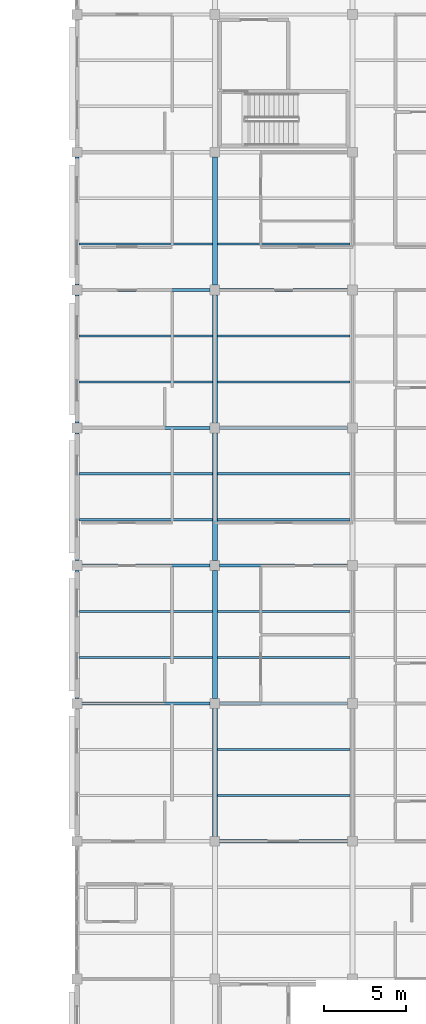
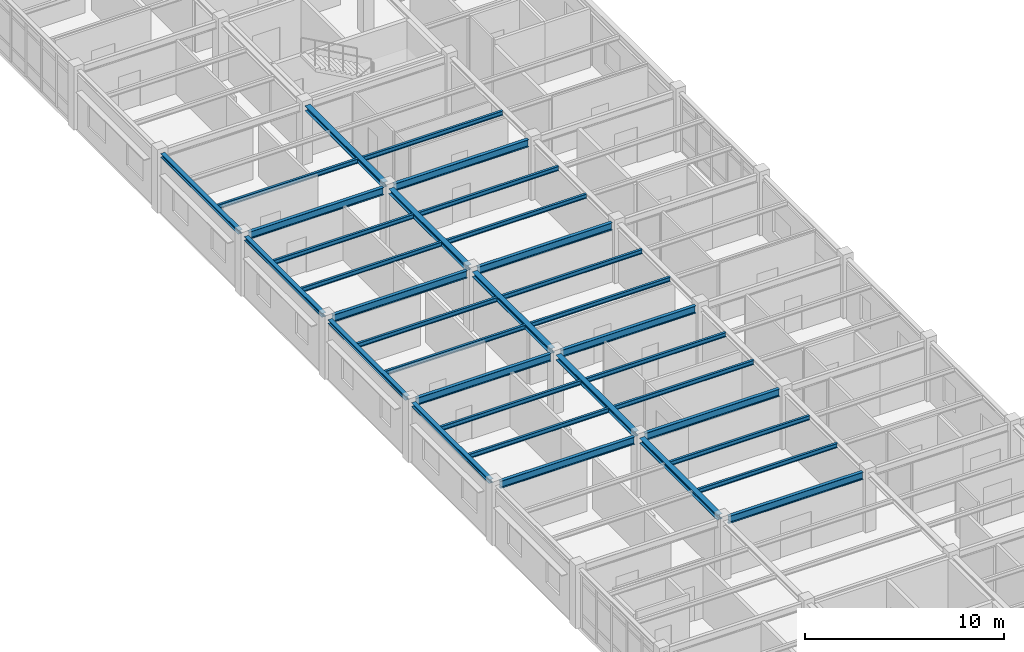
# One storey, part 5 of 70: 34 beams.
"""IFC4 building model written with IfcOpenShell, lengths in metres."""

from ifc_helpers import new_model, si_unit, direction, frame, origin, origin_2d, place, context, subcontext, project, spatial, i_section, extrude, material, material_profile, profile_set, type_object, element, save


model = new_model("IFC4")

# Units and contexts
model_context = context("Model", 3, precision=1e-05, world=origin(), true_north=direction((0.0, 1.0)))
body_context = subcontext(model_context, "Body", "Model", "MODEL_VIEW")
ifc_project = project(units=[si_unit("LENGTHUNIT", "METRE"), si_unit("AREAUNIT", "SQUARE_METRE"), si_unit("VOLUMEUNIT", "CUBIC_METRE"), si_unit("PLANEANGLEUNIT", "RADIAN"), si_unit("MASSUNIT", "GRAM", prefix="KILO")], contexts=[model_context])

# Site, building, storey
site_placement = place(None, origin())
site = spatial("IfcSite", under=ifc_project, at=site_placement, CompositionType="ELEMENT")
building_placement = place(site_placement, origin())
building = spatial("IfcBuilding", under=site, at=building_placement, Name="Bramfleet General Hospital", CompositionType="ELEMENT")
storey_placement = place(building_placement, frame((0.0, 0.0, 22.5)))
storey = spatial("IfcBuildingStorey", under=building, at=storey_placement, Name="L05", CompositionType="ELEMENT", Elevation=22.5)

# Beams
ifc_material = material(Name="Steel S355", Category="steel")
ifc_material_profile_1 = material_profile(ifc_material, i_section(OverallWidth=0.239990234375, OverallDepth=0.22998046875, WebThickness=0.007568359375, FlangeThickness=0.011962890625, FilletRadius=0.02099609375, at=origin_2d()), Name="HEA 240")
ifc_profile_set_1 = profile_set([ifc_material_profile_1], Name="Steel S355")
beam_type_1 = type_object("IfcBeamType", Name="BM-HEA240", PredefinedType="SPANDREL", material=ifc_profile_set_1)
for number, where, z_axis, x_axis, name in (
    (1, (92.39990234375, 33.89990234375, 3.5048828125), (0.0, 1.0, 0.0), (-1.0, 0.0, 0.0), "L05 Grid Beam Y 11-04"),
    (2, (92.39990234375, 42.300048828125, 3.5048828125), (0.0, 1.0, 0.0), (-1.0, 0.0, 0.0), "L05 Grid Beam Y 11-05"),
    (3, (92.39990234375, 50.699951171875, 3.5048828125), (0.0, 1.0, 0.0), (-1.0, 0.0, 0.0), "L05 Grid Beam Y 11-06"),
):
    element("IfcBeam", number, at=place(storey_placement, frame(where, z_axis=z_axis, x_axis=x_axis)), inside=storey, type_object=beam_type_1, Name=name, PredefinedType="SPANDREL", context=body_context, shape_type="SweptSolid", body=[
        extrude(i_section(OverallWidth=0.239990234375, OverallDepth=0.22998046875, WebThickness=0.007568359375, FlangeThickness=0.011962890625, FilletRadius=0.02099609375, at=origin_2d()), origin(), (0.0, 0.0, 1.0), 7.800048828125),
    ])
beam_1_placement = place(storey_placement, frame((92.39990234375, 59.10009765625, 3.5048828125), z_axis=(0.0, 1.0, 0.0), x_axis=(-1.0, 0.0, 0.0)))
element("IfcBeam", 4, at=beam_1_placement, inside=storey, type_object=beam_type_1, Name="L05 Grid Beam Y 11-07", PredefinedType="SPANDREL", context=body_context, shape_type="SweptSolid", body=[
    extrude(i_section(OverallWidth=0.239990234375, OverallDepth=0.22998046875, WebThickness=0.007568359375, FlangeThickness=0.011962890625, FilletRadius=0.02099609375, at=origin_2d()), origin(), (0.0, 0.0, 1.0), 7.7998046875),
])
ifc_material_profile_2 = material_profile(ifc_material, i_section(OverallWidth=0.300048828125, OverallDepth=0.31005859375, WebThickness=0.009033203125, FlangeThickness=0.015380859375, FilletRadius=0.027099609375, at=origin_2d()), Name="HEA 320")
ifc_profile_set_2 = profile_set([ifc_material_profile_2], Name="Steel S355")
beam_type_2 = type_object("IfcBeamType", Name="BM-HEA320", PredefinedType="BEAM", material=ifc_profile_set_2)
for number, where, z_axis, x_axis, name in (
    (5, (100.800048828125, 25.5, 3.465087890625), (0.0, 1.0, 0.0), (-1.0, 0.0, 0.0), "L05 Grid Beam Y 12-03"),
    (6, (100.800048828125, 33.89990234375, 3.465087890625), (0.0, 1.0, 0.0), (-1.0, 0.0, 0.0), "L05 Grid Beam Y 12-04"),
    (7, (100.800048828125, 42.300048828125, 3.465087890625), (0.0, 1.0, 0.0), (-1.0, 0.0, 0.0), "L05 Grid Beam Y 12-05"),
    (8, (100.800048828125, 50.699951171875, 3.465087890625), (0.0, 1.0, 0.0), (-1.0, 0.0, 0.0), "L05 Grid Beam Y 12-06"),
):
    element("IfcBeam", number, at=place(storey_placement, frame(where, z_axis=z_axis, x_axis=x_axis)), inside=storey, type_object=beam_type_2, Name=name, PredefinedType="BEAM", context=body_context, shape_type="SweptSolid", body=[
        extrude(i_section(OverallWidth=0.300048828125, OverallDepth=0.31005859375, WebThickness=0.009033203125, FlangeThickness=0.015380859375, FilletRadius=0.027099609375, at=origin_2d()), origin(), (0.0, 0.0, 1.0), 7.800048828125),
    ])
beam_2_placement = place(storey_placement, frame((100.800048828125, 59.10009765625, 3.465087890625), z_axis=(0.0, 1.0, 0.0), x_axis=(-1.0, 0.0, 0.0)))
element("IfcBeam", 9, at=beam_2_placement, inside=storey, type_object=beam_type_2, Name="L05 Grid Beam Y 12-07", PredefinedType="BEAM", context=body_context, shape_type="SweptSolid", body=[
    extrude(i_section(OverallWidth=0.300048828125, OverallDepth=0.31005859375, WebThickness=0.009033203125, FlangeThickness=0.015380859375, FilletRadius=0.027099609375, at=origin_2d()), origin(), (0.0, 0.0, 1.0), 7.7998046875),
])
ifc_material_profile_3 = material_profile(ifc_material, i_section(OverallWidth=0.135009765625, OverallDepth=0.27001953125, WebThickness=0.006591796875, FlangeThickness=0.01025390625, FilletRadius=0.014892578125, at=origin_2d()), Name="IPE 270")
ifc_profile_set_3 = profile_set([ifc_material_profile_3], Name="Steel S355")
beam_type_3 = type_object("IfcBeamType", Name="BM-IPE270", PredefinedType="JOIST", material=ifc_profile_set_3)
for number, where, z_axis, x_axis, name in (
    (10, (92.52001953125, 36.39990234375, 3.485107421875), (1.0, 0.0, 0.0), (0.0, 1.0, 0.0), "L05 Secondary Joist 11-04-1"),
    (11, (92.52001953125, 39.199951171875, 3.485107421875), (1.0, 0.0, 0.0), (0.0, 1.0, 0.0), "L05 Secondary Joist 11-04-2"),
    (12, (92.52001953125, 44.800048828125, 3.485107421875), (1.0, 0.0, 0.0), (0.0, 1.0, 0.0), "L05 Secondary Joist 11-05-1"),
    (13, (92.52001953125, 47.60009765625, 3.485107421875), (1.0, 0.0, 0.0), (0.0, 1.0, 0.0), "L05 Secondary Joist 11-05-2"),
    (14, (92.52001953125, 53.199951171875, 3.485107421875), (1.0, 0.0, 0.0), (0.0, 1.0, 0.0), "L05 Secondary Joist 11-06-1"),
    (15, (92.52001953125, 56.0, 3.485107421875), (1.0, 0.0, 0.0), (0.0, 1.0, 0.0), "L05 Secondary Joist 11-06-2"),
    (16, (92.52001953125, 61.60009765625, 3.485107421875), (1.0, 0.0, 0.0), (0.0, 1.0, 0.0), "L05 Secondary Joist 11-07-1"),
):
    element("IfcBeam", number, at=place(storey_placement, frame(where, z_axis=z_axis, x_axis=x_axis)), inside=storey, type_object=beam_type_3, Name=name, PredefinedType="JOIST", context=body_context, shape_type="SweptSolid", body=[
        extrude(i_section(OverallWidth=0.135009765625, OverallDepth=0.27001953125, WebThickness=0.006591796875, FlangeThickness=0.01025390625, FilletRadius=0.014892578125, at=origin_2d()), origin(), (0.0, 0.0, 1.0), 8.1298828125),
    ])
for number, where, z_axis, x_axis, name in (
    (17, (100.949951171875, 28.0, 3.485107421875), (1.0, 0.0, 0.0), (0.0, 1.0, 0.0), "L05 Secondary Joist 12-03-1"),
    (18, (100.949951171875, 30.800048828125, 3.485107421875), (1.0, 0.0, 0.0), (0.0, 1.0, 0.0), "L05 Secondary Joist 12-03-2"),
    (19, (100.949951171875, 36.39990234375, 3.485107421875), (1.0, 0.0, 0.0), (0.0, 1.0, 0.0), "L05 Secondary Joist 12-04-1"),
    (20, (100.949951171875, 39.199951171875, 3.485107421875), (1.0, 0.0, 0.0), (0.0, 1.0, 0.0), "L05 Secondary Joist 12-04-2"),
    (21, (100.949951171875, 44.800048828125, 3.485107421875), (1.0, 0.0, 0.0), (0.0, 1.0, 0.0), "L05 Secondary Joist 12-05-1"),
    (22, (100.949951171875, 47.60009765625, 3.485107421875), (1.0, 0.0, 0.0), (0.0, 1.0, 0.0), "L05 Secondary Joist 12-05-2"),
    (23, (100.949951171875, 53.199951171875, 3.485107421875), (1.0, 0.0, 0.0), (0.0, 1.0, 0.0), "L05 Secondary Joist 12-06-1"),
    (24, (100.949951171875, 56.0, 3.485107421875), (1.0, 0.0, 0.0), (0.0, 1.0, 0.0), "L05 Secondary Joist 12-06-2"),
    (25, (100.949951171875, 61.60009765625, 3.485107421875), (1.0, 0.0, 0.0), (0.0, 1.0, 0.0), "L05 Secondary Joist 12-07-1"),
):
    element("IfcBeam", number, at=place(storey_placement, frame(where, z_axis=z_axis, x_axis=x_axis)), inside=storey, type_object=beam_type_3, Name=name, PredefinedType="JOIST", context=body_context, shape_type="SweptSolid", body=[
        extrude(i_section(OverallWidth=0.135009765625, OverallDepth=0.27001953125, WebThickness=0.006591796875, FlangeThickness=0.01025390625, FilletRadius=0.014892578125, at=origin_2d()), origin(), (0.0, 0.0, 1.0), 8.10009765625),
    ])
ifc_material_profile_4 = material_profile(ifc_material, i_section(OverallWidth=0.18994140625, OverallDepth=0.449951171875, WebThickness=0.009521484375, FlangeThickness=0.0146484375, FilletRadius=0.02099609375, at=origin_2d()), Name="IPE 450")
ifc_profile_set_4 = profile_set([ifc_material_profile_4], Name="Steel S355")
beam_type_4 = type_object("IfcBeamType", Name="BM-IPE450", PredefinedType="BEAM", material=ifc_profile_set_4)
for number, where, z_axis, x_axis, name in (
    (26, (92.699951171875, 33.60009765625, 3.39501953125), (1.0, 0.0, 0.0), (0.0, 1.0, 0.0), "L05 Grid Beam X 11-04"),
    (27, (92.699951171875, 42.0, 3.39501953125), (1.0, 0.0, 0.0), (0.0, 1.0, 0.0), "L05 Grid Beam X 11-05"),
    (28, (92.699951171875, 50.39990234375, 3.39501953125), (1.0, 0.0, 0.0), (0.0, 1.0, 0.0), "L05 Grid Beam X 11-06"),
    (29, (92.699951171875, 58.800048828125, 3.39501953125), (1.0, 0.0, 0.0), (0.0, 1.0, 0.0), "L05 Grid Beam X 11-07"),
):
    element("IfcBeam", number, at=place(storey_placement, frame(where, z_axis=z_axis, x_axis=x_axis)), inside=storey, type_object=beam_type_4, Name=name, PredefinedType="BEAM", context=body_context, shape_type="SweptSolid", body=[
        extrude(i_section(OverallWidth=0.18994140625, OverallDepth=0.449951171875, WebThickness=0.009521484375, FlangeThickness=0.0146484375, FilletRadius=0.02099609375, at=origin_2d()), origin(), (0.0, 0.0, 1.0), 7.800048828125),
    ])
for number, where, z_axis, x_axis, name in (
    (30, (101.10009765625, 25.199951171875, 3.39501953125), (1.0, 0.0, 0.0), (0.0, 1.0, 0.0), "L05 Grid Beam X 12-03"),
    (31, (101.10009765625, 33.60009765625, 3.39501953125), (1.0, 0.0, 0.0), (0.0, 1.0, 0.0), "L05 Grid Beam X 12-04"),
    (32, (101.10009765625, 42.0, 3.39501953125), (1.0, 0.0, 0.0), (0.0, 1.0, 0.0), "L05 Grid Beam X 12-05"),
    (33, (101.10009765625, 50.39990234375, 3.39501953125), (1.0, 0.0, 0.0), (0.0, 1.0, 0.0), "L05 Grid Beam X 12-06"),
    (34, (101.10009765625, 58.800048828125, 3.39501953125), (1.0, 0.0, 0.0), (0.0, 1.0, 0.0), "L05 Grid Beam X 12-07"),
):
    element("IfcBeam", number, at=place(storey_placement, frame(where, z_axis=z_axis, x_axis=x_axis)), inside=storey, type_object=beam_type_4, Name=name, PredefinedType="BEAM", context=body_context, shape_type="SweptSolid", body=[
        extrude(i_section(OverallWidth=0.18994140625, OverallDepth=0.449951171875, WebThickness=0.009521484375, FlangeThickness=0.0146484375, FilletRadius=0.02099609375, at=origin_2d()), origin(), (0.0, 0.0, 1.0), 7.7998046875),
    ])

save(model, "model.ifc")
